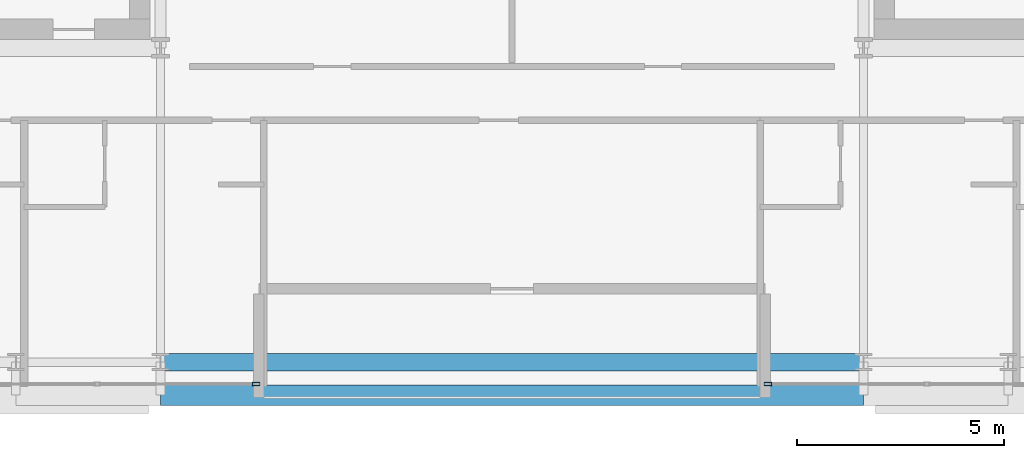
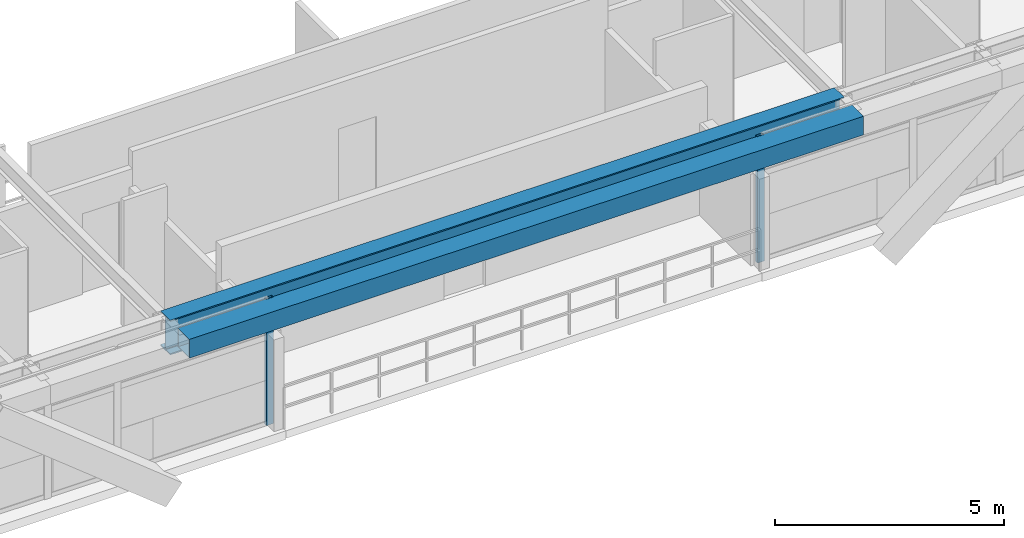
# One storey, part 6 of 31: 2 beams, 2 members, 2 elements without a shape of their own.
"""IFC4 building model written with IfcOpenShell, lengths in metres."""

from ifc_helpers import new_model, si_unit, direction, frame, origin, origin_2d, place, context, subcontext, project, spatial, hollow_rectangle, i_section, extrude, source, transform, mapped, material, layer, layer_set, material_profile, profile_set, type_object, element, aggregate, save


model = new_model("IFC4")

# Units and contexts
model_context = context("Model", 3, precision=1e-05, world=origin(), true_north=direction((0.0, 1.0)))
body_context = subcontext(model_context, "Body", "Model", "MODEL_VIEW")
ifc_project = project(units=[si_unit("LENGTHUNIT", "METRE"), si_unit("AREAUNIT", "SQUARE_METRE"), si_unit("VOLUMEUNIT", "CUBIC_METRE"), si_unit("PLANEANGLEUNIT", "RADIAN"), si_unit("MASSUNIT", "GRAM", prefix="KILO")], contexts=[model_context])

# Site, building, storey
site_placement = place(None, origin())
site = spatial("IfcSite", under=ifc_project, at=site_placement, CompositionType="ELEMENT")
building_placement = place(site_placement, origin())
building = spatial("IfcBuilding", under=site, at=building_placement, Name="Ocotamira Hotel", CompositionType="ELEMENT")
storey_placement = place(building_placement, frame((0.0, 0.0, 181.199951171875)))
storey = spatial("IfcBuildingStorey", under=building, at=storey_placement, Name="L45", CompositionType="ELEMENT", Elevation=181.199951171875)

# Beams
ifc_material_1 = material(Name="Steel ASTM A992 Grade 50", Category="steel")
ifc_material_profile_1 = material_profile(ifc_material_1, i_section(OverallWidth=0.41796875, OverallDepth=0.927001953125, WebThickness=0.019287109375, FlangeThickness=0.031982421875, FilletRadius=0.02392578125, at=origin_2d()), Name="W36X231")
ifc_profile_set_1 = profile_set([ifc_material_profile_1], Name="Steel ASTM A992 Grade 50")
beam_type_1 = type_object("IfcBeamType", Name="BM-GIRD-W36X231", PredefinedType="BEAM", material=ifc_profile_set_1)
shared_shape_1 = source(origin(), body_context, "Body", "SweptSolid", [
    extrude(i_section(OverallWidth=0.41796875, OverallDepth=0.927001953125, WebThickness=0.019287109375, FlangeThickness=0.031982421875, FilletRadius=0.02392578125, at=origin_2d()), origin(), (0.0, 0.0, 1.0), 17.0),
])
beam_1_placement = place(storey_placement, frame((23.5, 6.949951171875, 2.906494140625), z_axis=(1.0, 0.0, 0.0), x_axis=(0.0, 1.0, 0.0)))
element("IfcBeam", 1, at=beam_1_placement, inside=storey, type_object=beam_type_1, Name="L45 Girder Y6.95 X23.5-40.5", PredefinedType="BEAM", context=body_context, shape_type="MappedRepresentation", body=[
    mapped(shared_shape_1, transform((0.0, 0.0, 0.0), scale=1.0)),
])
ifc_material_2 = material(Name="Steel ASTM A500 Grade C", Category="steel")
ifc_material_profile_2 = material_profile(ifc_material_2, hollow_rectangle(XDim=0.5, YDim=0.5, WallThickness=0.02001953125, at=origin_2d()), Name="HSS500X500X20")
ifc_profile_set_2 = profile_set([ifc_material_profile_2], Name="Steel ASTM A500 Grade C")
beam_type_2 = type_object("IfcBeamType", Name="BM-SPAN-HSS500", PredefinedType="USERDEFINED", material=ifc_profile_set_2)
shared_shape_2 = source(origin(), body_context, "Body", "SweptSolid", [
    extrude(hollow_rectangle(XDim=0.5, YDim=0.5, WallThickness=0.02001953125, at=origin_2d()), origin(), (0.0, 0.0, 1.0), 17.0),
])
beam_2_placement = place(storey_placement, frame((23.5, 6.14990234375, 3.1201171875), z_axis=(1.0, 0.0, 0.0), x_axis=(0.0, 1.0, 0.0)))
element("IfcBeam", 2, at=beam_2_placement, inside=storey, type_object=beam_type_2, Name="L45 Edge Spandrel S X23.5-40.5", ObjectType="SPANDREL", PredefinedType="USERDEFINED", context=body_context, shape_type="MappedRepresentation", body=[
    mapped(shared_shape_2, transform((0.0, 0.0, 0.0), scale=1.0)),
])

# Curtain wall, member
ifc_material_3 = material(Name="Anodised pale-metal aluminium and solar glass", Category="aluminium")
ifc_layer = layer(ifc_material_3, 0.199951171875)
ifc_layer_set = layer_set([ifc_layer], Name="Anodised pale-metal aluminium and solar glass")
curtain_wall_type = type_object("IfcCurtainWallType", Name="CW-SYS4-Z3", PredefinedType="NOTDEFINED", material=ifc_layer_set)
curtain_wall_1_placement = place(storey_placement, origin())
curtain_wall_1 = element("IfcCurtainWall", 3, at=curtain_wall_1_placement, inside=storey, type_object=curtain_wall_type, Name="L45 Curtain Wall CW-4 CW-L45-S1", PredefinedType="NOTDEFINED")
ifc_material_4 = material(Name="Anodised pale-metal aluminium 6063-T6", Category="aluminium")
ifc_material_profile_3 = material_profile(ifc_material_4, hollow_rectangle(XDim=0.080078125, YDim=0.179931640625, WallThickness=0.006103515625, at=origin_2d()), Name="HSS180X80X6")
ifc_profile_set_3 = profile_set([ifc_material_profile_3], Name="Anodised pale-metal aluminium 6063-T6")
member_type = type_object("IfcMemberType", Name="CWM-180X75", PredefinedType="MULLION", material=ifc_profile_set_3)
shared_shape_3 = source(origin(), body_context, "Body", "SweptSolid", [
    extrude(hollow_rectangle(XDim=0.080078125, YDim=0.179931640625, WallThickness=0.006103515625, at=origin_2d()), origin(), (0.0, 0.0, 1.0), 3.3701171875),
])
member_1_placement = place(storey_placement, frame((25.81005859375, 6.419921875, 0.0), z_axis=(0.0, 0.0, 1.0), x_axis=(0.0, 1.0, 0.0)))
member_1 = element("IfcMember", 4, at=member_1_placement, type_object=member_type, Name="CW-4 mullion 4", PredefinedType="MULLION", context=body_context, shape_type="MappedRepresentation", body=[
    mapped(shared_shape_3, transform((0.0, 0.0, 0.0), scale=1.0)),
])
aggregate(curtain_wall_1, [member_1])

curtain_wall_2_placement = place(storey_placement, origin())
curtain_wall_2 = element("IfcCurtainWall", 5, at=curtain_wall_2_placement, inside=storey, type_object=curtain_wall_type, Name="L45 Curtain Wall CW-4 CW-L45-S2", PredefinedType="NOTDEFINED")
member_2_placement = place(storey_placement, frame((38.18994140625, 6.419921875, 0.0), z_axis=(0.0, 0.0, 1.0), x_axis=(0.0, 1.0, 0.0)))
member_2 = element("IfcMember", 6, at=member_2_placement, type_object=member_type, Name="CW-4 mullion 1", PredefinedType="MULLION", context=body_context, shape_type="MappedRepresentation", body=[
    mapped(shared_shape_3, transform((0.0, 0.0, 0.0), scale=1.0)),
])
aggregate(curtain_wall_2, [member_2])

save(model, "model.ifc")
